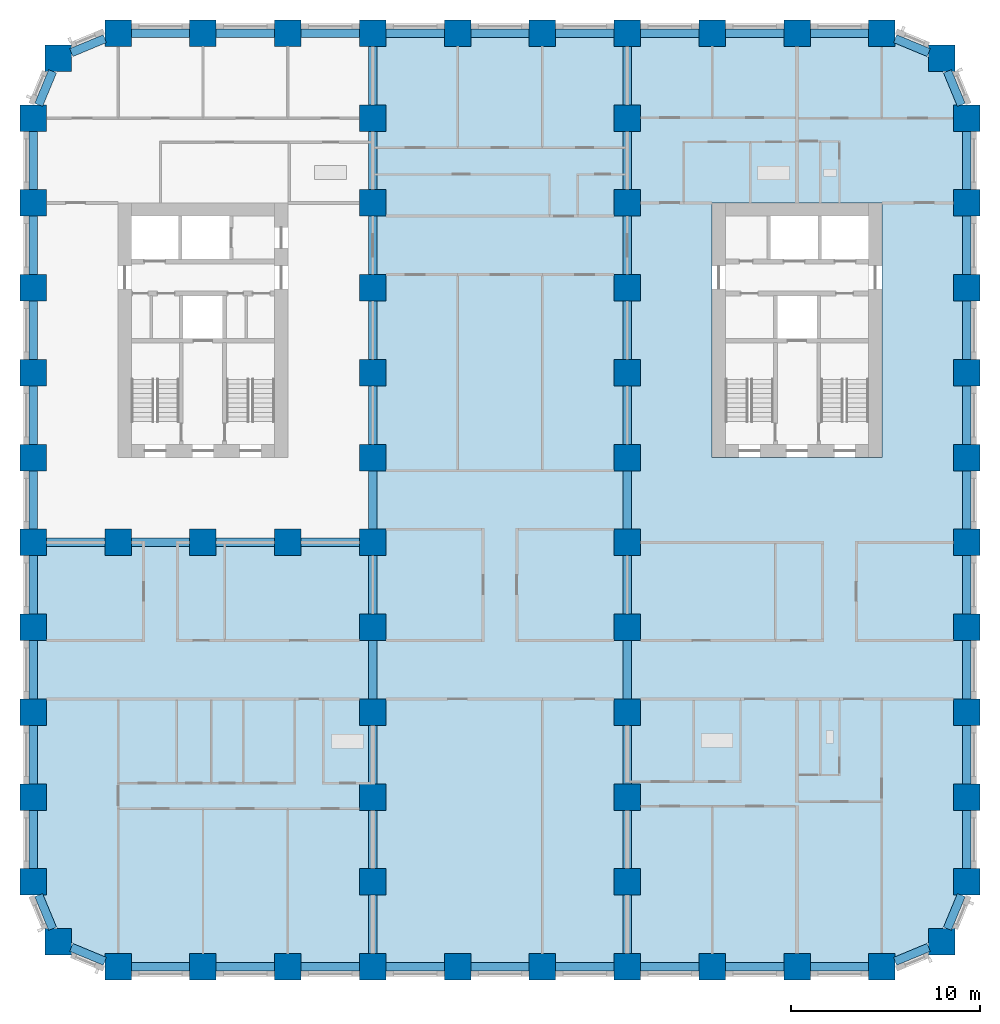
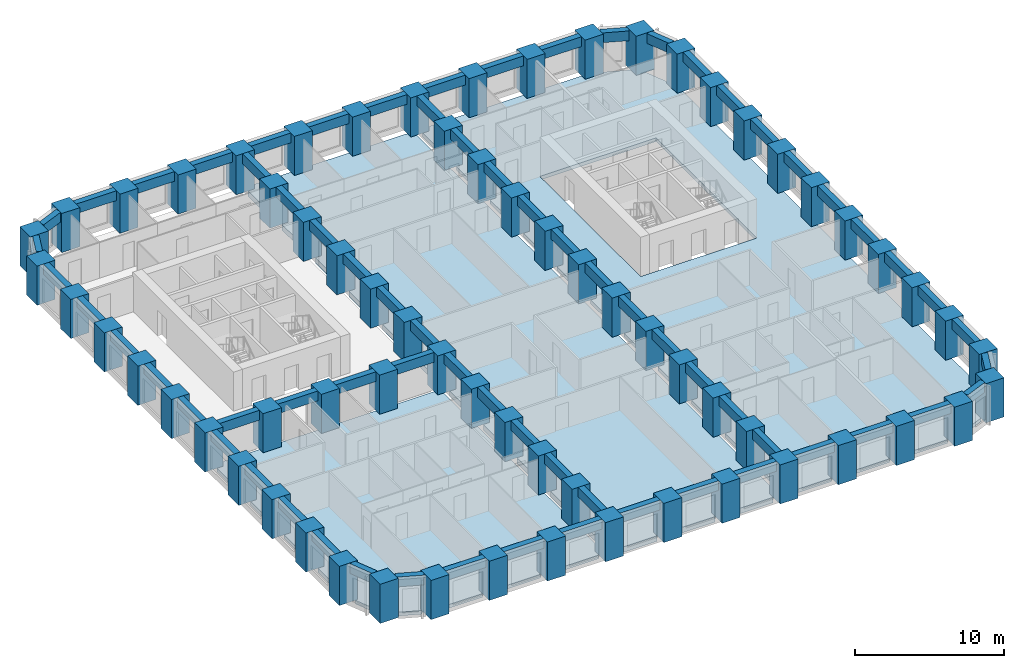
# One storey, part 1 of 13: 70 beams, 67 columns, 3 slabs.
"""IFC4 building model written with IfcOpenShell, lengths in metres."""

from ifc_helpers import new_model, si_unit, direction, frame, origin, origin_2d, place, context, subcontext, project, spatial, polyline, rectangle, outline, extrude, material, layer, layer_set, material_profile, profile_set, type_object, element, save


model = new_model("IFC4")

# Units and contexts
model_context = context("Model", 3, precision=1e-05, world=origin(), true_north=direction((0.0, 1.0)))
body_context = subcontext(model_context, "Body", "Model", "MODEL_VIEW")
ifc_project = project(units=[si_unit("LENGTHUNIT", "METRE"), si_unit("AREAUNIT", "SQUARE_METRE"), si_unit("VOLUMEUNIT", "CUBIC_METRE"), si_unit("PLANEANGLEUNIT", "RADIAN"), si_unit("MASSUNIT", "GRAM", prefix="KILO")], contexts=[model_context])

# Site, building, storey
site_placement = place(None, origin())
site = spatial("IfcSite", under=ifc_project, at=site_placement, CompositionType="ELEMENT")
building_placement = place(site_placement, origin())
building = spatial("IfcBuilding", under=site, at=building_placement, Name="Girih Gate Residences", CompositionType="ELEMENT")
storey_placement = place(building_placement, frame((0.0, 0.0, 46.39990234375)))
storey = spatial("IfcBuildingStorey", under=building, at=storey_placement, Name="L11", CompositionType="ELEMENT", Elevation=46.39990234375)

# Columns
ifc_material_1 = material(Name="Concrete C80/95", Category="concrete")
ifc_material_profile_1 = material_profile(ifc_material_1, rectangle(XDim=1.39990234375, YDim=1.39990234375, at=origin_2d()))
ifc_profile_set_1 = profile_set([ifc_material_profile_1], Name="Concrete C80/95")
column_type = type_object("IfcColumnType", Name="Pier RC 1400x1400 Concrete C80/95", PredefinedType="COLUMN", material=ifc_profile_set_1)
for number, where, z_axis, x_axis, name in (
    (1, (4.5, 0.0, 0.0), (0.0, 0.0, 1.0), (1.0, 0.0, 0.0), "Pier P2A L11"),
    (2, (9.0, 0.0, 0.0), (0.0, 0.0, 1.0), (1.0, 0.0, 0.0), "Pier P3A L11"),
    (3, (13.5, 0.0, 0.0), (0.0, 0.0, 1.0), (1.0, 0.0, 0.0), "Pier P4A L11"),
    (4, (18.0, 0.0, 0.0), (0.0, 0.0, 1.0), (1.0, 0.0, 0.0), "Pier P5A L11"),
    (5, (22.5, 0.0, 0.0), (0.0, 0.0, 1.0), (1.0, 0.0, 0.0), "Pier P6A L11"),
    (6, (27.0, 0.0, 0.0), (0.0, 0.0, 1.0), (1.0, 0.0, 0.0), "Pier P7A L11"),
    (7, (31.5, 0.0, 0.0), (0.0, 0.0, 1.0), (1.0, 0.0, 0.0), "Pier P8A L11"),
    (8, (36.0, 0.0, 0.0), (0.0, 0.0, 1.0), (1.0, 0.0, 0.0), "Pier P9A L11"),
    (9, (40.5, 0.0, 0.0), (0.0, 0.0, 1.0), (1.0, 0.0, 0.0), "Pier P10A L11"),
    (10, (45.0, 0.0, 0.0), (0.0, 0.0, 1.0), (1.0, 0.0, 0.0), "Pier P11A L11"),
    (11, (1.318115234375, 1.318115234375, 0.0), (0.0, 0.0, 1.0), (1.0, 0.0, 0.0), "Pier P1ANE L11"),
    (12, (48.181884765625, 1.318115234375, 0.0), (0.0, 0.0, 1.0), (1.0, 0.0, 0.0), "Pier P12ANW L11"),
    (13, (0.0, 4.5, 0.0), (0.0, 0.0, 1.0), (1.0, 0.0, 0.0), "Pier P1B L11"),
    (14, (18.0, 4.5, 0.0), (0.0, 0.0, 1.0), (1.0, 0.0, 0.0), "Pier P5B L11"),
    (15, (31.5, 4.5, 0.0), (0.0, 0.0, 1.0), (1.0, 0.0, 0.0), "Pier P8B L11"),
    (16, (49.5, 4.5, 0.0), (0.0, 0.0, 1.0), (1.0, 0.0, 0.0), "Pier P12B L11"),
    (17, (0.0, 9.0, 0.0), (0.0, 0.0, 1.0), (1.0, 0.0, 0.0), "Pier P1C L11"),
    (18, (18.0, 9.0, 0.0), (0.0, 0.0, 1.0), (1.0, 0.0, 0.0), "Pier P5C L11"),
    (19, (31.5, 9.0, 0.0), (0.0, 0.0, 1.0), (1.0, 0.0, 0.0), "Pier P8C L11"),
    (20, (49.5, 9.0, 0.0), (0.0, 0.0, 1.0), (1.0, 0.0, 0.0), "Pier P12C L11"),
    (21, (0.0, 13.5, 0.0), (0.0, 0.0, 1.0), (1.0, 0.0, 0.0), "Pier P1D L11"),
    (22, (18.0, 13.5, 0.0), (0.0, 0.0, 1.0), (1.0, 0.0, 0.0), "Pier P5D L11"),
    (23, (31.5, 13.5, 0.0), (0.0, 0.0, 1.0), (1.0, 0.0, 0.0), "Pier P8D L11"),
    (24, (49.5, 13.5, 0.0), (0.0, 0.0, 1.0), (1.0, 0.0, 0.0), "Pier P12D L11"),
    (25, (0.0, 18.0, 0.0), (0.0, 0.0, 1.0), (1.0, 0.0, 0.0), "Pier P1E L11"),
    (26, (18.0, 18.0, 0.0), (0.0, 0.0, 1.0), (1.0, 0.0, 0.0), "Pier P5E L11"),
    (27, (31.5, 18.0, 0.0), (0.0, 0.0, 1.0), (1.0, 0.0, 0.0), "Pier P8E L11"),
    (28, (49.5, 18.0, 0.0), (0.0, 0.0, 1.0), (1.0, 0.0, 0.0), "Pier P12E L11"),
    (29, (0.0, 22.5, 0.0), (0.0, 0.0, 1.0), (1.0, 0.0, 0.0), "Pier P1F L11"),
    (30, (4.5, 22.5, 0.0), (0.0, 0.0, 1.0), (1.0, 0.0, 0.0), "Pier P2F L11"),
    (31, (9.0, 22.5, 0.0), (0.0, 0.0, 1.0), (1.0, 0.0, 0.0), "Pier P3F L11"),
    (32, (13.5, 22.5, 0.0), (0.0, 0.0, 1.0), (1.0, 0.0, 0.0), "Pier P4F L11"),
    (33, (18.0, 22.5, 0.0), (0.0, 0.0, 1.0), (1.0, 0.0, 0.0), "Pier P5F L11"),
    (34, (31.5, 22.5, 0.0), (0.0, 0.0, 1.0), (1.0, 0.0, 0.0), "Pier P8F L11"),
    (35, (49.5, 22.5, 0.0), (0.0, 0.0, 1.0), (1.0, 0.0, 0.0), "Pier P12F L11"),
    (36, (0.0, 27.0, 0.0), (0.0, 0.0, 1.0), (1.0, 0.0, 0.0), "Pier P1G L11"),
    (37, (18.0, 27.0, 0.0), (0.0, 0.0, 1.0), (1.0, 0.0, 0.0), "Pier P5G L11"),
    (38, (31.5, 27.0, 0.0), (0.0, 0.0, 1.0), (1.0, 0.0, 0.0), "Pier P8G L11"),
    (39, (49.5, 27.0, 0.0), (0.0, 0.0, 1.0), (1.0, 0.0, 0.0), "Pier P12G L11"),
    (40, (0.0, 31.5, 0.0), (0.0, 0.0, 1.0), (1.0, 0.0, 0.0), "Pier P1H L11"),
    (41, (18.0, 31.5, 0.0), (0.0, 0.0, 1.0), (1.0, 0.0, 0.0), "Pier P5H L11"),
    (42, (31.5, 31.5, 0.0), (0.0, 0.0, 1.0), (1.0, 0.0, 0.0), "Pier P8H L11"),
    (43, (49.5, 31.5, 0.0), (0.0, 0.0, 1.0), (1.0, 0.0, 0.0), "Pier P12H L11"),
    (44, (0.0, 36.0, 0.0), (0.0, 0.0, 1.0), (1.0, 0.0, 0.0), "Pier P1I L11"),
    (45, (18.0, 36.0, 0.0), (0.0, 0.0, 1.0), (1.0, 0.0, 0.0), "Pier P5I L11"),
    (46, (31.5, 36.0, 0.0), (0.0, 0.0, 1.0), (1.0, 0.0, 0.0), "Pier P8I L11"),
    (47, (49.5, 36.0, 0.0), (0.0, 0.0, 1.0), (1.0, 0.0, 0.0), "Pier P12I L11"),
    (48, (0.0, 40.5, 0.0), (0.0, 0.0, 1.0), (1.0, 0.0, 0.0), "Pier P1J L11"),
    (49, (18.0, 40.5, 0.0), (0.0, 0.0, 1.0), (1.0, 0.0, 0.0), "Pier P5J L11"),
    (50, (31.5, 40.5, 0.0), (0.0, 0.0, 1.0), (1.0, 0.0, 0.0), "Pier P8J L11"),
    (51, (49.5, 40.5, 0.0), (0.0, 0.0, 1.0), (1.0, 0.0, 0.0), "Pier P12J L11"),
    (52, (0.0, 45.0, 0.0), (0.0, 0.0, 1.0), (1.0, 0.0, 0.0), "Pier P1K L11"),
    (53, (18.0, 45.0, 0.0), (0.0, 0.0, 1.0), (1.0, 0.0, 0.0), "Pier P5K L11"),
    (54, (31.5, 45.0, 0.0), (0.0, 0.0, 1.0), (1.0, 0.0, 0.0), "Pier P8K L11"),
    (55, (49.5, 45.0, 0.0), (0.0, 0.0, 1.0), (1.0, 0.0, 0.0), "Pier P12K L11"),
    (56, (1.318115234375, 48.181884765625, 0.0), (0.0, 0.0, 1.0), (1.0, 0.0, 0.0), "Pier P1LSE L11"),
    (57, (48.181884765625, 48.181884765625, 0.0), (0.0, 0.0, 1.0), (1.0, 0.0, 0.0), "Pier P12LSW L11"),
    (58, (4.5, 49.5, 0.0), (0.0, 0.0, 1.0), (1.0, 0.0, 0.0), "Pier P2L L11"),
    (59, (9.0, 49.5, 0.0), (0.0, 0.0, 1.0), (1.0, 0.0, 0.0), "Pier P3L L11"),
    (60, (13.5, 49.5, 0.0), (0.0, 0.0, 1.0), (1.0, 0.0, 0.0), "Pier P4L L11"),
    (61, (18.0, 49.5, 0.0), (0.0, 0.0, 1.0), (1.0, 0.0, 0.0), "Pier P5L L11"),
    (62, (22.5, 49.5, 0.0), (0.0, 0.0, 1.0), (1.0, 0.0, 0.0), "Pier P6L L11"),
    (63, (27.0, 49.5, 0.0), (0.0, 0.0, 1.0), (1.0, 0.0, 0.0), "Pier P7L L11"),
    (64, (31.5, 49.5, 0.0), (0.0, 0.0, 1.0), (1.0, 0.0, 0.0), "Pier P8L L11"),
    (65, (36.0, 49.5, 0.0), (0.0, 0.0, 1.0), (1.0, 0.0, 0.0), "Pier P9L L11"),
    (66, (40.5, 49.5, 0.0), (0.0, 0.0, 1.0), (1.0, 0.0, 0.0), "Pier P10L L11"),
    (67, (45.0, 49.5, 0.0), (0.0, 0.0, 1.0), (1.0, 0.0, 0.0), "Pier P11L L11"),
):
    element("IfcColumn", number, at=place(storey_placement, frame(where, z_axis=z_axis, x_axis=x_axis)), inside=storey, type_object=column_type, Name=name, PredefinedType="COLUMN", context=body_context, shape_type="SweptSolid", body=[
        extrude(rectangle(XDim=1.39990234375, YDim=1.39990234375, at=origin_2d()), origin(), (0.0, 0.0, 1.0), 3.2001953125),
    ])

# Beams
ifc_material_2 = material(Name="Concrete C60/75", Category="concrete")
ifc_material_profile_2 = material_profile(ifc_material_2, rectangle(XDim=0.449951171875, YDim=0.800048828125, at=origin_2d()))
ifc_profile_set_2 = profile_set([ifc_material_profile_2], Name="Concrete C60/75")
beam_type = type_object("IfcBeamType", Name="Spandrel girder RC 450x800 Concrete C60/75", PredefinedType="BEAM", material=ifc_profile_set_2)
for number, where, z_axis, x_axis, name in (
    (68, (0.2900390625, 3.800048828125, 2.800048828125), (0.382646180293, -0.923894961945, 0.0), (0.923894961945, 0.382646180293, 0.0), "Spandrel girder SP-P1B-P1ANE L11"),
    (69, (2.01806640625, 1.028076171875, 2.800048828125), (0.923894961945, -0.382646180293, 0.0), (0.382646180293, 0.923894961945, 0.0), "Spandrel girder SP-P1ANE-P2A L11"),
):
    element("IfcBeam", number, at=place(storey_placement, frame(where, z_axis=z_axis, x_axis=x_axis)), inside=storey, type_object=beam_type, Name=name, PredefinedType="BEAM", context=body_context, shape_type="SweptSolid", body=[
        extrude(rectangle(XDim=0.449951171875, YDim=0.800048828125, at=origin_2d()), origin(), (0.0, 0.0, 1.0), 1.9287109375),
    ])
for number, where, z_axis, x_axis, name in (
    (70, (5.199951171875, 0.0, 2.800048828125), (1.0, 0.0, 0.0), (0.0, 1.0, 0.0), "Spandrel girder SP-P2A-P3A L11"),
    (71, (9.699951171875, 0.0, 2.800048828125), (1.0, 0.0, 0.0), (0.0, 1.0, 0.0), "Spandrel girder SP-P3A-P4A L11"),
    (72, (14.199951171875, 0.0, 2.800048828125), (1.0, 0.0, 0.0), (0.0, 1.0, 0.0), "Spandrel girder SP-P4A-P5A L11"),
    (73, (18.699951171875, 0.0, 2.800048828125), (1.0, 0.0, 0.0), (0.0, 1.0, 0.0), "Spandrel girder SP-P5A-P6A L11"),
    (74, (23.199951171875, 0.0, 2.800048828125), (1.0, 0.0, 0.0), (0.0, 1.0, 0.0), "Spandrel girder SP-P6A-P7A L11"),
    (75, (27.699951171875, 0.0, 2.800048828125), (1.0, 0.0, 0.0), (0.0, 1.0, 0.0), "Spandrel girder SP-P7A-P8A L11"),
    (76, (32.199951171875, 0.0, 2.800048828125), (1.0, 0.0, 0.0), (0.0, 1.0, 0.0), "Spandrel girder SP-P8A-P9A L11"),
    (77, (36.699951171875, 0.0, 2.800048828125), (1.0, 0.0, 0.0), (0.0, 1.0, 0.0), "Spandrel girder SP-P9A-P10A L11"),
    (78, (41.199951171875, 0.0, 2.800048828125), (1.0, 0.0, 0.0), (0.0, 1.0, 0.0), "Spandrel girder SP-P10A-P11A L11"),
):
    element("IfcBeam", number, at=place(storey_placement, frame(where, z_axis=z_axis, x_axis=x_axis)), inside=storey, type_object=beam_type, Name=name, PredefinedType="BEAM", context=body_context, shape_type="SweptSolid", body=[
        extrude(rectangle(XDim=0.449951171875, YDim=0.800048828125, at=origin_2d()), origin(), (0.0, 0.0, 1.0), 3.10009765625),
    ])
for number, where, z_axis, x_axis, name in (
    (79, (45.699951171875, 0.2900390625, 2.800048828125), (0.923894961945, 0.382646180293, 0.0), (-0.382646180293, 0.923894961945, 0.0), "Spandrel girder SP-P11A-P12ANW L11"),
    (80, (48.471923828125, 2.01806640625, 2.800048828125), (0.382646180293, 0.923894961945, 0.0), (-0.923894961945, 0.382646180293, 0.0), "Spandrel girder SP-P12ANW-P12B L11"),
):
    element("IfcBeam", number, at=place(storey_placement, frame(where, z_axis=z_axis, x_axis=x_axis)), inside=storey, type_object=beam_type, Name=name, PredefinedType="BEAM", context=body_context, shape_type="SweptSolid", body=[
        extrude(rectangle(XDim=0.449951171875, YDim=0.800048828125, at=origin_2d()), origin(), (0.0, 0.0, 1.0), 1.9287109375),
    ])
for number, where, z_axis, x_axis, name in (
    (81, (49.5, 5.199951171875, 2.800048828125), (0.0, 1.0, 0.0), (-1.0, 0.0, 0.0), "Spandrel girder SP-P12B-P12C L11"),
    (82, (49.5, 9.699951171875, 2.800048828125), (0.0, 1.0, 0.0), (-1.0, 0.0, 0.0), "Spandrel girder SP-P12C-P12D L11"),
    (83, (49.5, 14.199951171875, 2.800048828125), (0.0, 1.0, 0.0), (-1.0, 0.0, 0.0), "Spandrel girder SP-P12D-P12E L11"),
    (84, (49.5, 18.699951171875, 2.800048828125), (0.0, 1.0, 0.0), (-1.0, 0.0, 0.0), "Spandrel girder SP-P12E-P12F L11"),
    (85, (49.5, 23.199951171875, 2.800048828125), (0.0, 1.0, 0.0), (-1.0, 0.0, 0.0), "Spandrel girder SP-P12F-P12G L11"),
    (86, (49.5, 27.699951171875, 2.800048828125), (0.0, 1.0, 0.0), (-1.0, 0.0, 0.0), "Spandrel girder SP-P12G-P12H L11"),
    (87, (49.5, 32.199951171875, 2.800048828125), (0.0, 1.0, 0.0), (-1.0, 0.0, 0.0), "Spandrel girder SP-P12H-P12I L11"),
    (88, (49.5, 36.699951171875, 2.800048828125), (0.0, 1.0, 0.0), (-1.0, 0.0, 0.0), "Spandrel girder SP-P12I-P12J L11"),
    (89, (49.5, 41.199951171875, 2.800048828125), (0.0, 1.0, 0.0), (-1.0, 0.0, 0.0), "Spandrel girder SP-P12J-P12K L11"),
):
    element("IfcBeam", number, at=place(storey_placement, frame(where, z_axis=z_axis, x_axis=x_axis)), inside=storey, type_object=beam_type, Name=name, PredefinedType="BEAM", context=body_context, shape_type="SweptSolid", body=[
        extrude(rectangle(XDim=0.449951171875, YDim=0.800048828125, at=origin_2d()), origin(), (0.0, 0.0, 1.0), 3.10009765625),
    ])
for number, where, z_axis, x_axis, name in (
    (90, (49.2099609375, 45.699951171875, 2.800048828125), (-0.382646180293, 0.923894961945, 0.0), (-0.923894961945, -0.382646180293, 0.0), "Spandrel girder SP-P12K-P12LSW L11"),
    (91, (47.48193359375, 48.471923828125, 2.800048828125), (-0.923894961945, 0.382646180293, 0.0), (-0.382646180293, -0.923894961945, 0.0), "Spandrel girder SP-P12LSW-P11L L11"),
):
    element("IfcBeam", number, at=place(storey_placement, frame(where, z_axis=z_axis, x_axis=x_axis)), inside=storey, type_object=beam_type, Name=name, PredefinedType="BEAM", context=body_context, shape_type="SweptSolid", body=[
        extrude(rectangle(XDim=0.449951171875, YDim=0.800048828125, at=origin_2d()), origin(), (0.0, 0.0, 1.0), 1.9287109375),
    ])
for number, where, z_axis, x_axis, name in (
    (92, (44.300048828125, 49.5, 2.800048828125), (-1.0, 0.0, 0.0), (0.0, -1.0, 0.0), "Spandrel girder SP-P11L-P10L L11"),
    (93, (39.800048828125, 49.5, 2.800048828125), (-1.0, 0.0, 0.0), (0.0, -1.0, 0.0), "Spandrel girder SP-P10L-P9L L11"),
    (94, (35.300048828125, 49.5, 2.800048828125), (-1.0, 0.0, 0.0), (0.0, -1.0, 0.0), "Spandrel girder SP-P9L-P8L L11"),
    (95, (30.800048828125, 49.5, 2.800048828125), (-1.0, 0.0, 0.0), (0.0, -1.0, 0.0), "Spandrel girder SP-P8L-P7L L11"),
    (96, (26.300048828125, 49.5, 2.800048828125), (-1.0, 0.0, 0.0), (0.0, -1.0, 0.0), "Spandrel girder SP-P7L-P6L L11"),
    (97, (21.800048828125, 49.5, 2.800048828125), (-1.0, 0.0, 0.0), (0.0, -1.0, 0.0), "Spandrel girder SP-P6L-P5L L11"),
    (98, (17.300048828125, 49.5, 2.800048828125), (-1.0, 0.0, 0.0), (0.0, -1.0, 0.0), "Spandrel girder SP-P5L-P4L L11"),
    (99, (12.800048828125, 49.5, 2.800048828125), (-1.0, 0.0, 0.0), (0.0, -1.0, 0.0), "Spandrel girder SP-P4L-P3L L11"),
    (100, (8.300048828125, 49.5, 2.800048828125), (-1.0, 0.0, 0.0), (0.0, -1.0, 0.0), "Spandrel girder SP-P3L-P2L L11"),
):
    element("IfcBeam", number, at=place(storey_placement, frame(where, z_axis=z_axis, x_axis=x_axis)), inside=storey, type_object=beam_type, Name=name, PredefinedType="BEAM", context=body_context, shape_type="SweptSolid", body=[
        extrude(rectangle(XDim=0.449951171875, YDim=0.800048828125, at=origin_2d()), origin(), (0.0, 0.0, 1.0), 3.10009765625),
    ])
for number, where, z_axis, x_axis, name in (
    (101, (3.800048828125, 49.2099609375, 2.800048828125), (-0.923894961945, -0.382646180293, 0.0), (0.382646180293, -0.923894961945, 0.0), "Spandrel girder SP-P2L-P1LSE L11"),
    (102, (1.028076171875, 47.48193359375, 2.800048828125), (-0.382646180293, -0.923894961945, 0.0), (0.923894961945, -0.382646180293, 0.0), "Spandrel girder SP-P1LSE-P1K L11"),
):
    element("IfcBeam", number, at=place(storey_placement, frame(where, z_axis=z_axis, x_axis=x_axis)), inside=storey, type_object=beam_type, Name=name, PredefinedType="BEAM", context=body_context, shape_type="SweptSolid", body=[
        extrude(rectangle(XDim=0.449951171875, YDim=0.800048828125, at=origin_2d()), origin(), (0.0, 0.0, 1.0), 1.9287109375),
    ])
for number, where, z_axis, x_axis, name in (
    (103, (0.0, 44.300048828125, 2.800048828125), (0.0, -1.0, 0.0), (1.0, 0.0, 0.0), "Spandrel girder SP-P1K-P1J L11"),
    (104, (0.0, 39.800048828125, 2.800048828125), (0.0, -1.0, 0.0), (1.0, 0.0, 0.0), "Spandrel girder SP-P1J-P1I L11"),
    (105, (0.0, 35.300048828125, 2.800048828125), (0.0, -1.0, 0.0), (1.0, 0.0, 0.0), "Spandrel girder SP-P1I-P1H L11"),
    (106, (0.0, 30.800048828125, 2.800048828125), (0.0, -1.0, 0.0), (1.0, 0.0, 0.0), "Spandrel girder SP-P1H-P1G L11"),
    (107, (0.0, 26.300048828125, 2.800048828125), (0.0, -1.0, 0.0), (1.0, 0.0, 0.0), "Spandrel girder SP-P1G-P1F L11"),
    (108, (0.0, 21.800048828125, 2.800048828125), (0.0, -1.0, 0.0), (1.0, 0.0, 0.0), "Spandrel girder SP-P1F-P1E L11"),
    (109, (0.0, 17.300048828125, 2.800048828125), (0.0, -1.0, 0.0), (1.0, 0.0, 0.0), "Spandrel girder SP-P1E-P1D L11"),
    (110, (0.0, 12.800048828125, 2.800048828125), (0.0, -1.0, 0.0), (1.0, 0.0, 0.0), "Spandrel girder SP-P1D-P1C L11"),
    (111, (0.0, 8.300048828125, 2.800048828125), (0.0, -1.0, 0.0), (1.0, 0.0, 0.0), "Spandrel girder SP-P1C-P1B L11"),
    (112, (18.0, 0.699951171875, 2.800048828125), (0.0, 1.0, 0.0), (-1.0, 0.0, 0.0), "Spandrel girder SP-P5A-P5B L11"),
    (113, (18.0, 5.199951171875, 2.800048828125), (0.0, 1.0, 0.0), (-1.0, 0.0, 0.0), "Spandrel girder SP-P5B-P5C L11"),
    (114, (18.0, 9.699951171875, 2.800048828125), (0.0, 1.0, 0.0), (-1.0, 0.0, 0.0), "Spandrel girder SP-P5C-P5D L11"),
    (115, (18.0, 14.199951171875, 2.800048828125), (0.0, 1.0, 0.0), (-1.0, 0.0, 0.0), "Spandrel girder SP-P5D-P5E L11"),
    (116, (18.0, 18.699951171875, 2.800048828125), (0.0, 1.0, 0.0), (-1.0, 0.0, 0.0), "Spandrel girder SP-P5E-P5F L11"),
    (117, (18.0, 23.199951171875, 2.800048828125), (0.0, 1.0, 0.0), (-1.0, 0.0, 0.0), "Spandrel girder SP-P5F-P5G L11"),
    (118, (18.0, 27.699951171875, 2.800048828125), (0.0, 1.0, 0.0), (-1.0, 0.0, 0.0), "Spandrel girder SP-P5G-P5H L11"),
    (119, (18.0, 32.199951171875, 2.800048828125), (0.0, 1.0, 0.0), (-1.0, 0.0, 0.0), "Spandrel girder SP-P5H-P5I L11"),
    (120, (18.0, 36.699951171875, 2.800048828125), (0.0, 1.0, 0.0), (-1.0, 0.0, 0.0), "Spandrel girder SP-P5I-P5J L11"),
    (121, (18.0, 41.199951171875, 2.800048828125), (0.0, 1.0, 0.0), (-1.0, 0.0, 0.0), "Spandrel girder SP-P5J-P5K L11"),
    (122, (18.0, 45.699951171875, 2.800048828125), (0.0, 1.0, 0.0), (-1.0, 0.0, 0.0), "Spandrel girder SP-P5K-P5L L11"),
    (123, (31.5, 0.699951171875, 2.800048828125), (0.0, 1.0, 0.0), (-1.0, 0.0, 0.0), "Spandrel girder SP-P8A-P8B L11"),
    (124, (31.5, 5.199951171875, 2.800048828125), (0.0, 1.0, 0.0), (-1.0, 0.0, 0.0), "Spandrel girder SP-P8B-P8C L11"),
    (125, (31.5, 9.699951171875, 2.800048828125), (0.0, 1.0, 0.0), (-1.0, 0.0, 0.0), "Spandrel girder SP-P8C-P8D L11"),
    (126, (31.5, 14.199951171875, 2.800048828125), (0.0, 1.0, 0.0), (-1.0, 0.0, 0.0), "Spandrel girder SP-P8D-P8E L11"),
    (127, (31.5, 18.699951171875, 2.800048828125), (0.0, 1.0, 0.0), (-1.0, 0.0, 0.0), "Spandrel girder SP-P8E-P8F L11"),
    (128, (31.5, 23.199951171875, 2.800048828125), (0.0, 1.0, 0.0), (-1.0, 0.0, 0.0), "Spandrel girder SP-P8F-P8G L11"),
    (129, (31.5, 27.699951171875, 2.800048828125), (0.0, 1.0, 0.0), (-1.0, 0.0, 0.0), "Spandrel girder SP-P8G-P8H L11"),
    (130, (31.5, 32.199951171875, 2.800048828125), (0.0, 1.0, 0.0), (-1.0, 0.0, 0.0), "Spandrel girder SP-P8H-P8I L11"),
    (131, (31.5, 36.699951171875, 2.800048828125), (0.0, 1.0, 0.0), (-1.0, 0.0, 0.0), "Spandrel girder SP-P8I-P8J L11"),
    (132, (31.5, 41.199951171875, 2.800048828125), (0.0, 1.0, 0.0), (-1.0, 0.0, 0.0), "Spandrel girder SP-P8J-P8K L11"),
    (133, (31.5, 45.699951171875, 2.800048828125), (0.0, 1.0, 0.0), (-1.0, 0.0, 0.0), "Spandrel girder SP-P8K-P8L L11"),
    (134, (0.699951171875, 22.5, 2.800048828125), (1.0, 0.0, 0.0), (0.0, 1.0, 0.0), "Spandrel girder SP-P1F-P2F L11"),
    (135, (5.199951171875, 22.5, 2.800048828125), (1.0, 0.0, 0.0), (0.0, 1.0, 0.0), "Spandrel girder SP-P2F-P3F L11"),
    (136, (9.699951171875, 22.5, 2.800048828125), (1.0, 0.0, 0.0), (0.0, 1.0, 0.0), "Spandrel girder SP-P3F-P4F L11"),
    (137, (14.199951171875, 22.5, 2.800048828125), (1.0, 0.0, 0.0), (0.0, 1.0, 0.0), "Spandrel girder SP-P4F-P5F L11"),
):
    element("IfcBeam", number, at=place(storey_placement, frame(where, z_axis=z_axis, x_axis=x_axis)), inside=storey, type_object=beam_type, Name=name, PredefinedType="BEAM", context=body_context, shape_type="SweptSolid", body=[
        extrude(rectangle(XDim=0.449951171875, YDim=0.800048828125, at=origin_2d()), origin(), (0.0, 0.0, 1.0), 3.10009765625),
    ])

# Slabs
ifc_material_3 = material(Name="Concrete C40/50", Category="concrete")
ifc_layer_1 = layer(ifc_material_3, 0.300048828125)
ifc_layer_set_1 = layer_set([ifc_layer_1], Name="Floor slab PT 300 Concrete C40/50")
slab_type_1 = type_object("IfcSlabType", Name="Floor slab PT 300 Concrete C40/50", PredefinedType="FLOOR", material=ifc_layer_set_1)
slab_1_placement = place(storey_placement, frame((0.0, 0.0, -0.2998046875)))
element("IfcSlab", 138, at=slab_1_placement, inside=storey, type_object=slab_type_1, Name="Floor slab L11 0", PredefinedType="FLOOR", context=body_context, shape_type="SweptSolid", body=[
    extrude(outline(polyline([(0.22509765625, 8.300048828125), (0.22509765625, 5.199951171875), (0.699951171875, 5.199951171875), (0.699951171875, 3.800048828125), (0.533447265625, 3.800048828125), (1.271728515625, 2.01806640625), (2.01806640625, 2.01806640625), (2.01806640625, 1.271728515625), (3.800048828125, 0.533447265625), (3.800048828125, 0.699951171875), (5.199951171875, 0.699951171875), (5.199951171875, 0.22509765625), (8.300048828125, 0.22509765625), (8.300048828125, 0.699951171875), (9.699951171875, 0.699951171875), (9.699951171875, 0.22509765625), (12.800048828125, 0.22509765625), (12.800048828125, 0.699951171875), (14.199951171875, 0.699951171875), (14.199951171875, 0.22509765625), (17.300048828125, 0.22509765625), (17.300048828125, 0.699951171875), (17.77490234375, 0.699951171875), (17.77490234375, 3.800048828125), (17.300048828125, 3.800048828125), (17.300048828125, 5.199951171875), (17.77490234375, 5.199951171875), (17.77490234375, 8.300048828125), (17.300048828125, 8.300048828125), (17.300048828125, 9.699951171875), (17.77490234375, 9.699951171875), (17.77490234375, 12.800048828125), (17.300048828125, 12.800048828125), (17.300048828125, 14.199951171875), (17.77490234375, 14.199951171875), (17.77490234375, 17.300048828125), (17.300048828125, 17.300048828125), (17.300048828125, 18.699951171875), (17.77490234375, 18.699951171875), (17.77490234375, 21.800048828125), (17.300048828125, 21.800048828125), (17.300048828125, 22.27490234375), (14.199951171875, 22.27490234375), (14.199951171875, 21.800048828125), (12.800048828125, 21.800048828125), (12.800048828125, 22.27490234375), (9.699951171875, 22.27490234375), (9.699951171875, 21.800048828125), (8.300048828125, 21.800048828125), (8.300048828125, 22.27490234375), (5.199951171875, 22.27490234375), (5.199951171875, 21.800048828125), (3.800048828125, 21.800048828125), (3.800048828125, 22.27490234375), (0.699951171875, 22.27490234375), (0.699951171875, 21.800048828125), (0.22509765625, 21.800048828125), (0.22509765625, 18.699951171875), (0.699951171875, 18.699951171875), (0.699951171875, 17.300048828125), (0.22509765625, 17.300048828125), (0.22509765625, 14.199951171875), (0.699951171875, 14.199951171875), (0.699951171875, 12.800048828125), (0.22509765625, 12.800048828125), (0.22509765625, 9.699951171875), (0.699951171875, 9.699951171875), (0.699951171875, 8.300048828125), (0.22509765625, 8.300048828125)])), origin(), (0.0, 0.0, 1.0), 0.2998046875),
])
slab_2_placement = place(storey_placement, frame((0.0, 0.0, -0.2998046875)))
element("IfcSlab", 139, at=slab_2_placement, inside=storey, type_object=slab_type_1, Name="Floor slab L11 1", PredefinedType="FLOOR", context=body_context, shape_type="SweptSolid", body=[
    extrude(outline(polyline([(35.300048828125, 49.27490234375), (32.199951171875, 49.27490234375), (32.199951171875, 48.800048828125), (31.72509765625, 48.800048828125), (31.72509765625, 45.699951171875), (32.199951171875, 45.699951171875), (32.199951171875, 44.300048828125), (31.72509765625, 44.300048828125), (31.72509765625, 41.199951171875), (32.199951171875, 41.199951171875), (32.199951171875, 39.800048828125), (31.72509765625, 39.800048828125), (31.72509765625, 36.699951171875), (32.199951171875, 36.699951171875), (32.199951171875, 35.300048828125), (31.72509765625, 35.300048828125), (31.72509765625, 32.199951171875), (32.199951171875, 32.199951171875), (32.199951171875, 30.800048828125), (31.72509765625, 30.800048828125), (31.72509765625, 27.699951171875), (32.199951171875, 27.699951171875), (32.199951171875, 26.300048828125), (31.72509765625, 26.300048828125), (31.72509765625, 23.199951171875), (32.199951171875, 23.199951171875), (32.199951171875, 21.800048828125), (31.72509765625, 21.800048828125), (31.72509765625, 18.699951171875), (32.199951171875, 18.699951171875), (32.199951171875, 17.300048828125), (31.72509765625, 17.300048828125), (31.72509765625, 14.199951171875), (32.199951171875, 14.199951171875), (32.199951171875, 12.800048828125), (31.72509765625, 12.800048828125), (31.72509765625, 9.699951171875), (32.199951171875, 9.699951171875), (32.199951171875, 8.300048828125), (31.72509765625, 8.300048828125), (31.72509765625, 5.199951171875), (32.199951171875, 5.199951171875), (32.199951171875, 3.800048828125), (31.72509765625, 3.800048828125), (31.72509765625, 0.699951171875), (32.199951171875, 0.699951171875), (32.199951171875, 0.22509765625), (35.300048828125, 0.22509765625), (35.300048828125, 0.699951171875), (36.699951171875, 0.699951171875), (36.699951171875, 0.22509765625), (39.800048828125, 0.22509765625), (39.800048828125, 0.699951171875), (41.199951171875, 0.699951171875), (41.199951171875, 0.22509765625), (44.300048828125, 0.22509765625), (44.300048828125, 0.699951171875), (45.699951171875, 0.699951171875), (45.699951171875, 0.533447265625), (47.48193359375, 1.271728515625), (47.48193359375, 2.01806640625), (48.228271484375, 2.01806640625), (48.966552734375, 3.800048828125), (48.800048828125, 3.800048828125), (48.800048828125, 5.199951171875), (49.27490234375, 5.199951171875), (49.27490234375, 8.300048828125), (48.800048828125, 8.300048828125), (48.800048828125, 9.699951171875), (49.27490234375, 9.699951171875), (49.27490234375, 12.800048828125), (48.800048828125, 12.800048828125), (48.800048828125, 14.199951171875), (49.27490234375, 14.199951171875), (49.27490234375, 17.300048828125), (48.800048828125, 17.300048828125), (48.800048828125, 18.699951171875), (49.27490234375, 18.699951171875), (49.27490234375, 21.800048828125), (48.800048828125, 21.800048828125), (48.800048828125, 23.199951171875), (49.27490234375, 23.199951171875), (49.27490234375, 26.300048828125), (48.800048828125, 26.300048828125), (48.800048828125, 27.699951171875), (49.27490234375, 27.699951171875), (49.27490234375, 30.800048828125), (48.800048828125, 30.800048828125), (48.800048828125, 32.199951171875), (49.27490234375, 32.199951171875), (49.27490234375, 35.300048828125), (48.800048828125, 35.300048828125), (48.800048828125, 36.699951171875), (49.27490234375, 36.699951171875), (49.27490234375, 39.800048828125), (48.800048828125, 39.800048828125), (48.800048828125, 41.199951171875), (49.27490234375, 41.199951171875), (49.27490234375, 44.300048828125), (48.800048828125, 44.300048828125), (48.800048828125, 45.699951171875), (48.966552734375, 45.699951171875), (48.228271484375, 47.48193359375), (47.48193359375, 47.48193359375), (47.48193359375, 48.228271484375), (45.699951171875, 48.966552734375), (45.699951171875, 48.800048828125), (44.300048828125, 48.800048828125), (44.300048828125, 49.27490234375), (41.199951171875, 49.27490234375), (41.199951171875, 48.800048828125), (39.800048828125, 48.800048828125), (39.800048828125, 49.27490234375), (36.699951171875, 49.27490234375), (36.699951171875, 48.800048828125), (35.300048828125, 48.800048828125), (35.300048828125, 49.27490234375)]), holes=[polyline([(45.0, 40.5), (45.0, 27.0), (36.0, 27.0), (36.0, 40.5), (45.0, 40.5)])]), origin(), (0.0, 0.0, 1.0), 0.2998046875),
])
ifc_layer_2 = layer(ifc_material_3, 0.449951171875)
ifc_layer_set_2 = layer_set([ifc_layer_2], Name="Floor slab PT 450 Concrete C40/50")
slab_type_2 = type_object("IfcSlabType", Name="Floor slab PT 450 Concrete C40/50", PredefinedType="FLOOR", material=ifc_layer_set_2)
slab_3_placement = place(storey_placement, frame((0.0, 0.0, -0.449951171875)))
element("IfcSlab", 140, at=slab_3_placement, inside=storey, type_object=slab_type_2, Name="Floor slab L11 2", PredefinedType="FLOOR", context=body_context, shape_type="SweptSolid", body=[
    extrude(outline(polyline([(21.800048828125, 49.27490234375), (18.699951171875, 49.27490234375), (18.699951171875, 48.800048828125), (18.22509765625, 48.800048828125), (18.22509765625, 45.699951171875), (18.699951171875, 45.699951171875), (18.699951171875, 44.300048828125), (18.22509765625, 44.300048828125), (18.22509765625, 41.199951171875), (18.699951171875, 41.199951171875), (18.699951171875, 39.800048828125), (18.22509765625, 39.800048828125), (18.22509765625, 36.699951171875), (18.699951171875, 36.699951171875), (18.699951171875, 35.300048828125), (18.22509765625, 35.300048828125), (18.22509765625, 32.199951171875), (18.699951171875, 32.199951171875), (18.699951171875, 30.800048828125), (18.22509765625, 30.800048828125), (18.22509765625, 27.699951171875), (18.699951171875, 27.699951171875), (18.699951171875, 26.300048828125), (18.22509765625, 26.300048828125), (18.22509765625, 23.199951171875), (18.699951171875, 23.199951171875), (18.699951171875, 21.800048828125), (18.22509765625, 21.800048828125), (18.22509765625, 18.699951171875), (18.699951171875, 18.699951171875), (18.699951171875, 17.300048828125), (18.22509765625, 17.300048828125), (18.22509765625, 14.199951171875), (18.699951171875, 14.199951171875), (18.699951171875, 12.800048828125), (18.22509765625, 12.800048828125), (18.22509765625, 9.699951171875), (18.699951171875, 9.699951171875), (18.699951171875, 8.300048828125), (18.22509765625, 8.300048828125), (18.22509765625, 5.199951171875), (18.699951171875, 5.199951171875), (18.699951171875, 3.800048828125), (18.22509765625, 3.800048828125), (18.22509765625, 0.699951171875), (18.699951171875, 0.699951171875), (18.699951171875, 0.22509765625), (21.800048828125, 0.22509765625), (21.800048828125, 0.699951171875), (23.199951171875, 0.699951171875), (23.199951171875, 0.22509765625), (26.300048828125, 0.22509765625), (26.300048828125, 0.699951171875), (27.699951171875, 0.699951171875), (27.699951171875, 0.22509765625), (30.800048828125, 0.22509765625), (30.800048828125, 0.699951171875), (31.27490234375, 0.699951171875), (31.27490234375, 3.800048828125), (30.800048828125, 3.800048828125), (30.800048828125, 5.199951171875), (31.27490234375, 5.199951171875), (31.27490234375, 8.300048828125), (30.800048828125, 8.300048828125), (30.800048828125, 9.699951171875), (31.27490234375, 9.699951171875), (31.27490234375, 12.800048828125), (30.800048828125, 12.800048828125), (30.800048828125, 14.199951171875), (31.27490234375, 14.199951171875), (31.27490234375, 17.300048828125), (30.800048828125, 17.300048828125), (30.800048828125, 18.699951171875), (31.27490234375, 18.699951171875), (31.27490234375, 21.800048828125), (30.800048828125, 21.800048828125), (30.800048828125, 23.199951171875), (31.27490234375, 23.199951171875), (31.27490234375, 26.300048828125), (30.800048828125, 26.300048828125), (30.800048828125, 27.699951171875), (31.27490234375, 27.699951171875), (31.27490234375, 30.800048828125), (30.800048828125, 30.800048828125), (30.800048828125, 32.199951171875), (31.27490234375, 32.199951171875), (31.27490234375, 35.300048828125), (30.800048828125, 35.300048828125), (30.800048828125, 36.699951171875), (31.27490234375, 36.699951171875), (31.27490234375, 39.800048828125), (30.800048828125, 39.800048828125), (30.800048828125, 41.199951171875), (31.27490234375, 41.199951171875), (31.27490234375, 44.300048828125), (30.800048828125, 44.300048828125), (30.800048828125, 45.699951171875), (31.27490234375, 45.699951171875), (31.27490234375, 48.800048828125), (30.800048828125, 48.800048828125), (30.800048828125, 49.27490234375), (27.699951171875, 49.27490234375), (27.699951171875, 48.800048828125), (26.300048828125, 48.800048828125), (26.300048828125, 49.27490234375), (23.199951171875, 49.27490234375), (23.199951171875, 48.800048828125), (21.800048828125, 48.800048828125), (21.800048828125, 49.27490234375)])), origin(), (0.0, 0.0, 1.0), 0.449951171875),
])

save(model, "model.ifc")
